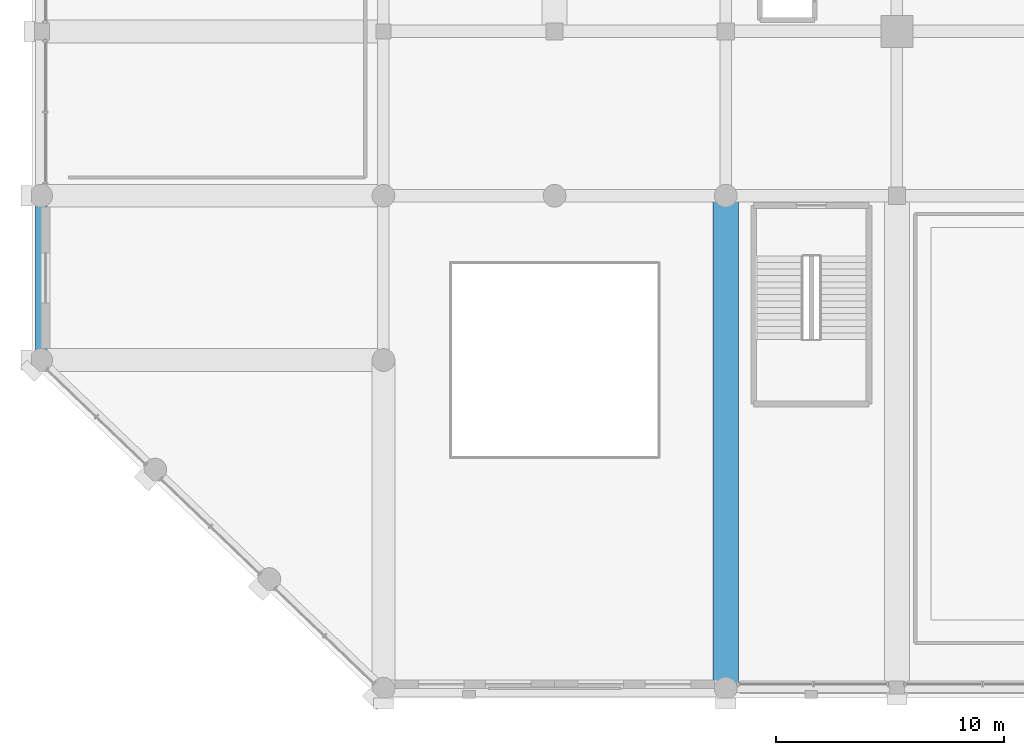
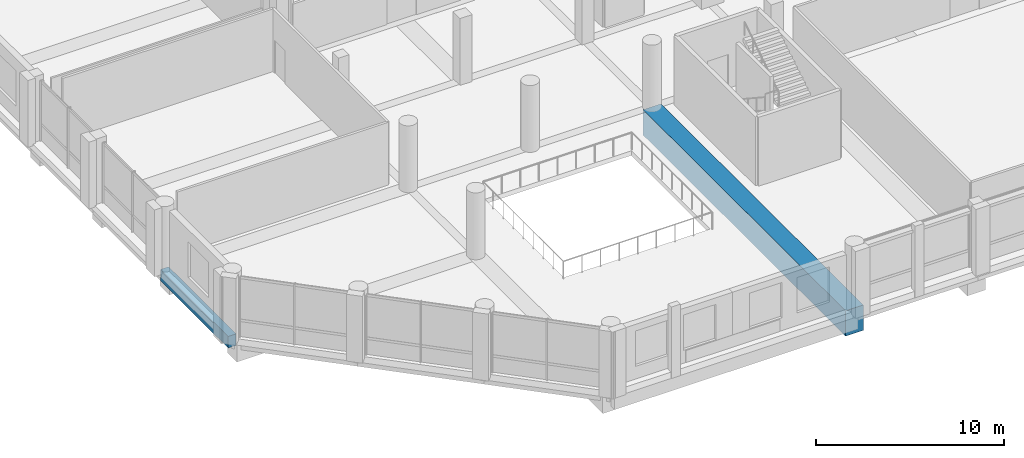
# One storey, part 9 of 64: 2 beams.
"""IFC4 building model written with IfcOpenShell, lengths in metres."""

from ifc_helpers import new_model, si_unit, direction, frame, origin, origin_2d, place, context, subcontext, project, spatial, rectangle, extrude, material, material_profile, profile_set, type_object, element, save


model = new_model("IFC4")

# Units and contexts
model_context = context("Model", 3, precision=1e-05, world=origin(), true_north=direction((0.0, 1.0)))
body_context = subcontext(model_context, "Body", "Model", "MODEL_VIEW")
ifc_project = project(units=[si_unit("LENGTHUNIT", "METRE"), si_unit("AREAUNIT", "SQUARE_METRE"), si_unit("VOLUMEUNIT", "CUBIC_METRE"), si_unit("PLANEANGLEUNIT", "RADIAN"), si_unit("MASSUNIT", "GRAM", prefix="KILO")], contexts=[model_context])

# Site, building, storey
site_placement = place(None, origin())
site = spatial("IfcSite", under=ifc_project, at=site_placement, CompositionType="ELEMENT")
building_placement = place(site_placement, origin())
building = spatial("IfcBuilding", under=site, at=building_placement, Name="Akrevak Sports Hall", CompositionType="ELEMENT")
storey_placement = place(building_placement, frame((0.0, 0.0, 4.60009765625)))
storey = spatial("IfcBuildingStorey", under=building, at=storey_placement, Name="L01", CompositionType="ELEMENT", Elevation=4.60009765625)

# Beams
ifc_material_1 = material(Name="Concrete C50/60", Category="concrete")
ifc_material_profile_1 = material_profile(ifc_material_1, rectangle(XDim=1.10009765625, YDim=1.64990234375, at=origin_2d()), Name="BM 1100x1650", Category="concrete")
ifc_profile_set_1 = profile_set([ifc_material_profile_1], Name="Concrete C50/60")
beam_type_1 = type_object("IfcBeamType", Name="STR-BM-LG1100x1650", PredefinedType="BEAM", material=ifc_profile_set_1)
beam_1_placement = place(storey_placement, frame((30.0, 0.0, -0.8251953125), z_axis=(0.0, 1.0, 0.0), x_axis=(-1.0, 0.0, 0.0)))
element("IfcBeam", 1, at=beam_1_placement, inside=storey, type_object=beam_type_1, Name="Girder 5/A-D (L01)", PredefinedType="BEAM", context=body_context, shape_type="SweptSolid", body=[
    extrude(rectangle(XDim=1.10009765625, YDim=1.64990234375, at=origin_2d()), origin(), (0.0, 0.0, 1.0), 21.60009765625),
])
ifc_material_2 = material(Name="Concrete C40/50", Category="concrete")
ifc_material_profile_2 = material_profile(ifc_material_2, rectangle(XDim=0.5, YDim=0.75, at=origin_2d()), Name="BM 500x750", Category="concrete")
ifc_profile_set_2 = profile_set([ifc_material_profile_2], Name="Concrete C40/50")
beam_type_2 = type_object("IfcBeamType", Name="STR-BM-RC500x750", PredefinedType="BEAM", material=ifc_profile_set_2)
beam_2_placement = place(storey_placement, frame((0.0, 14.39990234375, -0.375), z_axis=(0.0, 1.0, 0.0), x_axis=(-1.0, 0.0, 0.0)))
element("IfcBeam", 2, at=beam_2_placement, inside=storey, type_object=beam_type_2, Name="Girder 1/C-D (L01)", PredefinedType="BEAM", context=body_context, shape_type="SweptSolid", body=[
    extrude(rectangle(XDim=0.5, YDim=0.75, at=origin_2d()), origin(), (0.0, 0.0, 1.0), 7.2001953125),
])

save(model, "model.ifc")
